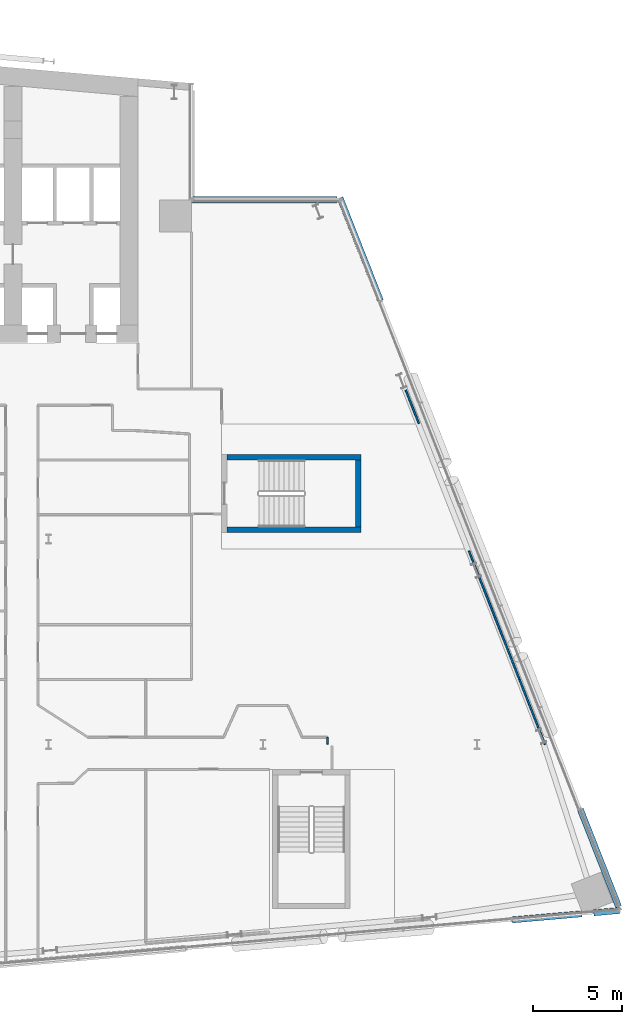
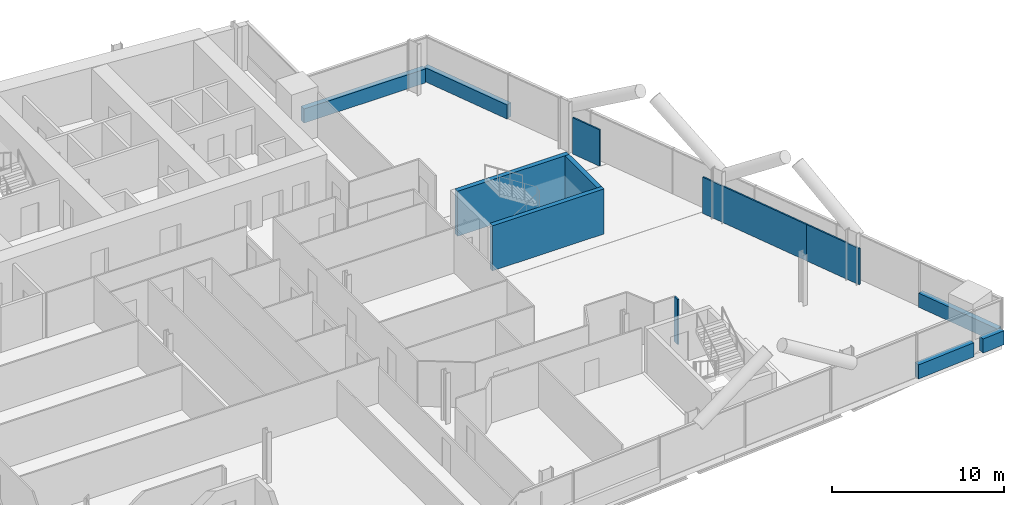
# One storey, part 19 of 26: 12 walls.
"""IFC4 building model written with IfcOpenShell, lengths in metres."""

from ifc_helpers import new_model, si_unit, direction, frame, frame_2d, origin, place, context, subcontext, project, spatial, rectangle, extrude, material, layer, layer_set, type_object, element, save


model = new_model("IFC4")

# Units and contexts
model_context = context("Model", 3, precision=1e-05, world=origin(), true_north=direction((0.0, 1.0)))
body_context = subcontext(model_context, "Body", "Model", "MODEL_VIEW")
ifc_project = project(units=[si_unit("LENGTHUNIT", "METRE"), si_unit("AREAUNIT", "SQUARE_METRE"), si_unit("VOLUMEUNIT", "CUBIC_METRE"), si_unit("PLANEANGLEUNIT", "RADIAN"), si_unit("MASSUNIT", "GRAM", prefix="KILO")], contexts=[model_context])

# Site, building, storey
site_placement = place(None, origin())
site = spatial("IfcSite", under=ifc_project, at=site_placement, CompositionType="ELEMENT")
building_placement = place(site_placement, origin())
building = spatial("IfcBuilding", under=site, at=building_placement, Name="Wharfspan Tower", CompositionType="ELEMENT")
storey_placement = place(building_placement, frame((0.0, 0.0, 114.699951)))
storey = spatial("IfcBuildingStorey", under=building, at=storey_placement, Name="L26", CompositionType="ELEMENT", Elevation=114.699951)

# Walls
ifc_material_1 = material(Name="Gypsum board on steel studs", Category="steel")
ifc_layer_1 = layer(ifc_material_1, 0.100098)
ifc_layer_set_1 = layer_set([ifc_layer_1], Name="Gypsum board on steel studs")
wall_type_1 = type_object("IfcWallType", Name="Compartment wall 100 EI 60", PredefinedType="PARTITIONING", material=ifc_layer_set_1)
wall_1_placement = place(storey_placement, frame((75.61499, 11.514893, 0.0), z_axis=(0.0, 0.0, 1.0), x_axis=(0.0, 1.0, 0.0)))
element("IfcWall", 1, at=wall_1_placement, inside=storey, type_object=wall_type_1, Name="Partition L26.w064", PredefinedType="PARTITIONING", context=body_context, shape_type="SweptSolid", body=[
    extrude(rectangle(XDim=0.380127, YDim=0.100098, at=frame_2d((0.189941, 0.0))), origin(), (0.0, 0.0, 1.0), 3.199951),
])
ifc_layer_2 = layer(ifc_material_1, 0.100098)
ifc_layer_set_2 = layer_set([ifc_layer_2], Name="Gypsum board on steel studs")
wall_type_2 = type_object("IfcWallType", Name="Partition 100", PredefinedType="PARTITIONING", material=ifc_layer_set_2)
wall_2_placement = place(storey_placement, frame((80.737061, 29.469971, 0.0), z_axis=(0.0, 0.0, 1.0), x_axis=(-0.365847, 0.930674, 0.0)))
element("IfcWall", 2, at=wall_2_placement, inside=storey, type_object=wall_type_2, Name="Partition L26.w067", PredefinedType="PARTITIONING", context=body_context, shape_type="SweptSolid", body=[
    extrude(rectangle(XDim=2.014648, YDim=0.100098, at=frame_2d((1.007324, 0.0))), origin(), (0.0, 0.0, 1.0), 2.580078),
])
wall_3_placement = place(storey_placement, frame((86.370117, 15.129883, 0.0), z_axis=(0.0, 0.0, 1.0), x_axis=(-0.365535, 0.930794, 0.0)))
element("IfcWall", 3, at=wall_3_placement, inside=storey, type_object=wall_type_2, Name="Partition L26.w068", PredefinedType="PARTITIONING", context=body_context, shape_type="SweptSolid", body=[
    extrude(rectangle(XDim=7.739014, YDim=0.100098, at=frame_2d((3.869629, 0.0))), origin(), (0.0, 0.0, 1.0), 2.580078),
])
wall_4_placement = place(storey_placement, frame((87.800049, 11.5, 0.0), z_axis=(0.0, 0.0, 1.0), x_axis=(-0.366521, 0.930414, 0.0)))
element("IfcWall", 4, at=wall_4_placement, inside=storey, type_object=wall_type_2, Name="Partition L26.w069", PredefinedType="PARTITIONING", context=body_context, shape_type="SweptSolid", body=[
    extrude(rectangle(XDim=3.901367, YDim=0.100098, at=frame_2d((1.950684, 0.0))), origin(), (0.0, 0.0, 1.0), 2.580078),
])
ifc_material_2 = material(Name="Concrete C40/50", Category="concrete")
ifc_layer_3 = layer(ifc_material_2, 0.350098)
ifc_layer_set_3 = layer_set([ifc_layer_3], Name="Concrete C40/50")
wall_type_3 = type_object("IfcWallType", Name="SPANDREL EXPOSED CONCRETE 350", PredefinedType="SOLIDWALL", material=ifc_layer_set_3)
wall_5_placement = place(storey_placement, frame((85.958984, 1.666504, 0.0), z_axis=(0.0, 0.0, 1.0), x_axis=(0.996194, 0.087167, 0.0)))
element("IfcWall", 5, at=wall_5_placement, inside=storey, type_object=wall_type_3, Name="Spandrel upstand L26 S2 2", PredefinedType="SOLIDWALL", context=body_context, shape_type="SweptSolid", body=[
    extrude(rectangle(XDim=3.921143, YDim=0.350098, at=frame_2d((1.960449, 0.0))), origin(), (0.0, 0.0, 1.0), 1.0),
])
wall_6_placement = place(storey_placement, frame((90.5271, 2.066162, 0.0), z_axis=(0.0, 0.0, 1.0), x_axis=(0.996198, 0.087157, 0.0)))
element("IfcWall", 6, at=wall_6_placement, inside=storey, type_object=wall_type_3, Name="Spandrel upstand L26 S2 3", PredefinedType="SOLIDWALL", context=body_context, shape_type="SweptSolid", body=[
    extrude(rectangle(XDim=1.479004, YDim=0.350098, at=frame_2d((0.739502, 0.0))), origin(), (0.0, 0.0, 1.0), 1.0),
])
wall_7_placement = place(storey_placement, frame((91.921387, 2.413574, 0.0), z_axis=(0.0, 0.0, 1.0), x_axis=(-0.36578, 0.930701, 0.0)))
element("IfcWall", 7, at=wall_7_placement, inside=storey, type_object=wall_type_3, Name="Spandrel upstand L26 E 1", PredefinedType="SOLIDWALL", context=body_context, shape_type="SweptSolid", body=[
    extrude(rectangle(XDim=5.851562, YDim=0.350098, at=frame_2d((2.925781, 0.0))), origin(), (0.0, 0.0, 1.0), 1.0),
])
wall_8_placement = place(storey_placement, frame((78.586426, 36.343994, 0.0), z_axis=(0.0, 0.0, 1.0), x_axis=(-0.365792, 0.930699, 0.0)))
element("IfcWall", 8, at=wall_8_placement, inside=storey, type_object=wall_type_3, Name="Spandrel upstand L26 E 2", PredefinedType="SOLIDWALL", context=body_context, shape_type="SweptSolid", body=[
    extrude(rectangle(XDim=6.20166, YDim=0.350098, at=frame_2d((3.10083, 0.0))), origin(), (0.0, 0.0, 1.0), 1.0),
])
wall_9_placement = place(storey_placement, frame((76.155029, 42.004883, 0.0), z_axis=(0.0, 0.0, 1.0), x_axis=(-1.0, 0.0, 0.0)))
element("IfcWall", 9, at=wall_9_placement, inside=storey, type_object=wall_type_3, Name="Spandrel upstand L26 NRE-H", PredefinedType="SOLIDWALL", context=body_context, shape_type="SweptSolid", body=[
    extrude(rectangle(XDim=8.155029, YDim=0.350098, at=frame_2d((4.077637, 0.0))), origin(), (0.0, 0.0, 1.0), 1.0),
])
ifc_layer_4 = layer(ifc_material_2, 0.300049)
ifc_layer_set_4 = layer_set([ifc_layer_4], Name="Concrete C40/50")
wall_type_4 = type_object("IfcWallType", Name="Stair core wall 300", PredefinedType="SHEAR", material=ifc_layer_set_4)
for number, where, z_axis, x_axis, name in (
    (10, (69.990479, 23.524902, 0.0), (0.0, 0.0, 1.0), (1.0, 0.0, 0.0), "ST6 stair enclosure wall L26"),
    (11, (69.990479, 27.574951, 0.0), (0.0, 0.0, 1.0), (1.0, 0.0, 0.0), "ST6 stair enclosure wall L26"),
):
    element("IfcWall", number, at=place(storey_placement, frame(where, z_axis=z_axis, x_axis=x_axis)), inside=storey, type_object=wall_type_4, Name=name, PredefinedType="SHEAR", context=body_context, shape_type="SweptSolid", body=[
        extrude(rectangle(XDim=7.5, YDim=0.300049, at=frame_2d((3.75, 0.0))), origin(), (0.0, 0.0, 1.0), 3.199951),
    ])
wall_10_placement = place(storey_placement, frame((77.340332, 23.675049, 0.0), z_axis=(0.0, 0.0, 1.0), x_axis=(0.0, 1.0, 0.0)))
element("IfcWall", 12, at=wall_10_placement, inside=storey, type_object=wall_type_4, Name="ST6 stair enclosure wall L26", PredefinedType="SHEAR", context=body_context, shape_type="SweptSolid", body=[
    extrude(rectangle(XDim=3.75, YDim=0.300049, at=frame_2d((1.875, 0.0))), origin(), (0.0, 0.0, 1.0), 3.199951),
])

save(model, "model.ifc")
